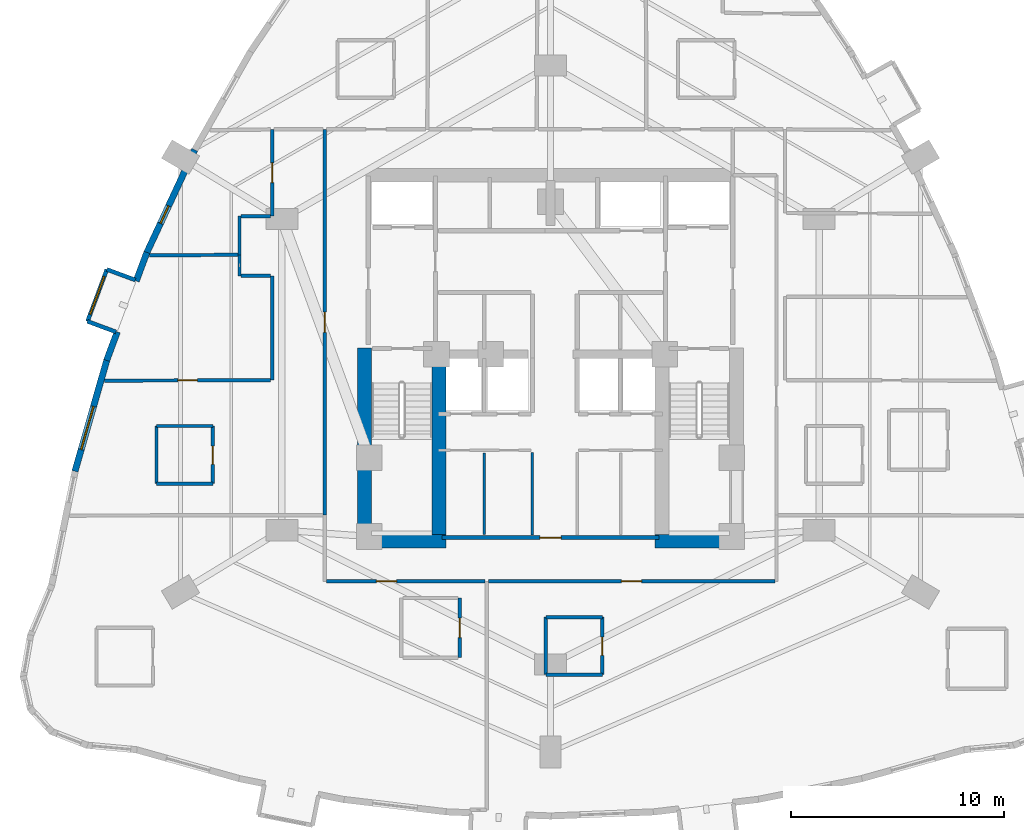
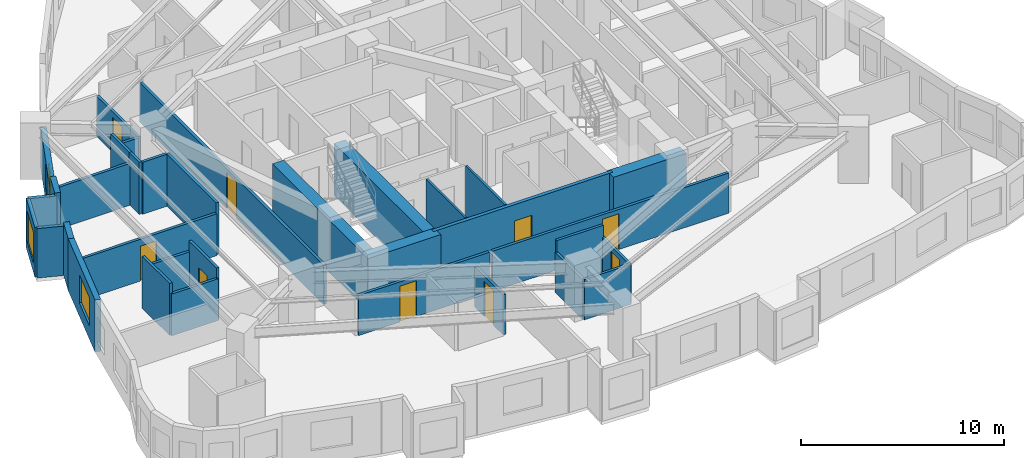
# One storey, part 7 of 13: 34 walls, 9 doors, 3 windows, 12 openings.
"""IFC4 building model written with IfcOpenShell, lengths in metres."""

from ifc_helpers import new_model, si_unit, direction, frame, frame_2d, origin, place, context, subcontext, project, spatial, rectangle, extrude, material, layer, layer_set, type_object, element, fill, save


model = new_model("IFC4")

# Units and contexts
model_context = context("Model", 3, precision=1e-05, world=origin(), true_north=direction((0.0, 1.0)))
body_context = subcontext(model_context, "Body", "Model", "MODEL_VIEW")
ifc_project = project(units=[si_unit("LENGTHUNIT", "METRE"), si_unit("AREAUNIT", "SQUARE_METRE"), si_unit("VOLUMEUNIT", "CUBIC_METRE"), si_unit("PLANEANGLEUNIT", "RADIAN"), si_unit("MASSUNIT", "GRAM", prefix="KILO")], contexts=[model_context])

# Site, building, storey
site_placement = place(None, origin())
site = spatial("IfcSite", under=ifc_project, at=site_placement, CompositionType="ELEMENT")
building_placement = place(site_placement, origin())
building = spatial("IfcBuilding", under=site, at=building_placement, Name="Miruveldt Soraemaru", CompositionType="ELEMENT")
storey_placement = place(building_placement, frame((0.0, 0.0, 49.60009765625)))
storey = spatial("IfcBuildingStorey", under=building, at=storey_placement, Name="L13", CompositionType="ELEMENT", Elevation=49.60009765625)

# Walls
ifc_material_1 = material(Name="White powder-coated aluminium EN AW-6060 T6", Category="aluminium")
ifc_layer_1 = layer(ifc_material_1, 0.18994140625, Name="White powder-coated aluminium EN AW-6060 T6", Category="aluminium")
ifc_layer_set_1 = layer_set([ifc_layer_1], Name="White powder-coated aluminium EN AW-6060 T6")
wall_type_1 = type_object("IfcWallType", Name="WALL-BAY-ALU190", PredefinedType="SOLIDWALL", material=ifc_layer_set_1)
wall_1_placement = place(storey_placement, frame((24.521728515625, 47.533203125, 0.0), z_axis=(0.0, 0.0, 1.0), x_axis=(-0.937129361406, 0.348982177182, 0.0)))
element("IfcWall", 1, at=wall_1_placement, inside=storey, type_object=wall_type_1, Name="L13 Bay Window Side Cheek 1L", PredefinedType="SOLIDWALL", context=body_context, shape_type="SweptSolid", body=[
    extrude(rectangle(XDim=1.425048828125, YDim=0.18994140625, at=frame_2d((0.71240234375, 0.0))), origin(), (0.0, 0.0, 1.0), 2.974853515625),
])
wall_2_placement = place(storey_placement, frame((22.27880859375, 45.593994140625, 0.0), z_axis=(0.0, 0.0, 1.0), x_axis=(0.937108491365, -0.349038214831, 0.0)))
element("IfcWall", 2, at=wall_2_placement, inside=storey, type_object=wall_type_1, Name="L13 Bay Window Side Cheek 1R", PredefinedType="SOLIDWALL", context=body_context, shape_type="SweptSolid", body=[
    extrude(rectangle(XDim=1.4248046875, YDim=0.18994140625, at=frame_2d((0.71240234375, 0.0))), origin(), (0.0, 0.0, 1.0), 2.974853515625),
])

# Wall, opening, window
wall_3_placement = place(storey_placement, frame((23.186279296875, 48.030517578125, 0.0), z_axis=(0.0, 0.0, 1.0), x_axis=(-0.349023333144, -0.937114034107, 0.0)))
wall_3 = element("IfcWall", 3, at=wall_3_placement, inside=storey, type_object=wall_type_1, Name="L13 Bay Window Front Frame 1", PredefinedType="SOLIDWALL", context=body_context, shape_type="SweptSolid", body=[
    extrude(rectangle(XDim=2.60009765625, YDim=0.18994140625, at=frame_2d((1.300048828125, 0.0))), origin(), (0.0, 0.0, 1.0), 2.974853515625),
])
opening_1_placement = place(wall_3_placement, frame((0.35009765625, 0.0, 0.550048828125)))
opening_1 = element("IfcOpeningElement", 4, at=opening_1_placement, cuts=wall_3, Name="Opening WN-6", PredefinedType="OPENING", context=body_context, shape_type="SweptSolid", body=[
    extrude(rectangle(XDim=1.89990234375, YDim=1.85009765625, at=frame_2d((0.949951171875, 0.925048828125))), frame((0.0, 0.10498046875, 0.0), z_axis=(0.0, -1.0, 0.0), x_axis=(1.0, 0.0, 0.0)), (0.0, 0.0, 1.0), 0.2099609375),
])
ifc_material_2 = material(Name="Triple low-e insulated glazing", Category="glass")
window_type_1 = type_object("IfcWindowType", Name="WIN-BAYW-1900x1850", PartitioningType="SINGLE_PANEL", PredefinedType="WINDOW", material=ifc_material_2)
window_1_placement = place(opening_1_placement, origin())
window_1 = element("IfcWindow", 5, at=window_1_placement, inside=storey, type_object=window_type_1, Name="L13 Projecting Bay Window 1", OverallHeight=1.85009765625, OverallWidth=1.89990234375, PartitioningType="SINGLE_PANEL", PredefinedType="WINDOW", context=body_context, shape_type="SweptSolid", body=[
    extrude(rectangle(XDim=1.89990234375, YDim=1.85009765625, at=frame_2d((0.949951171875, 0.925048828125))), frame((0.0, 0.030029296875, 0.0), z_axis=(0.0, -1.0, 0.0), x_axis=(1.0, 0.0, 0.0)), (0.0, 0.0, 1.0), 0.06005859375),
])
fill(opening_1, window_1)

# Walls
ifc_material_3 = material(Name="Concrete C80/95 (80 MPa)", Category="concrete")
ifc_layer_2 = layer(ifc_material_3, 0.64990234375, Name="Concrete C80/95 (80 MPa)", Category="concrete")
ifc_layer_set_2 = layer_set([ifc_layer_2], Name="Concrete C80/95 (80 MPa)")
wall_type_2 = type_object("IfcWallType", Name="WALL-CW-650", PredefinedType="SHEAR", material=ifc_layer_set_2)
for number, where, z_axis, x_axis, name in (
    (6, (34.949951171875, 35.27490234375, 0.0), (0.0, 0.0, 1.0), (1.0, 0.0, 0.0), "L13 Central Core Shear Wall S1"),
    (7, (48.89990234375, 35.27490234375, 0.0), (0.0, 0.0, 1.0), (1.0, 0.0, 0.0), "L13 Central Core Shear Wall S2"),
):
    element("IfcWall", number, at=place(storey_placement, frame(where, z_axis=z_axis, x_axis=x_axis)), inside=storey, type_object=wall_type_2, Name=name, PredefinedType="SHEAR", context=body_context, shape_type="SweptSolid", body=[
        extrude(rectangle(XDim=4.150146484375, YDim=0.64990234375, at=frame_2d((2.0751953125, 0.0))), origin(), (0.0, 0.0, 1.0), 3.125),
    ])
wall_4_placement = place(storey_placement, frame((35.27490234375, 34.949951171875, 0.0), z_axis=(0.0, 0.0, 1.0), x_axis=(0.0, 1.0, 0.0)))
element("IfcWall", 8, at=wall_4_placement, inside=storey, type_object=wall_type_2, Name="L13 Central Core Shear Wall W1", PredefinedType="SHEAR", context=body_context, shape_type="SweptSolid", body=[
    extrude(rectangle(XDim=9.400146484375, YDim=0.64990234375, at=frame_2d((4.7001953125, 0.0))), origin(), (0.0, 0.0, 1.0), 3.125),
])
wall_5_placement = place(storey_placement, frame((38.77490234375, 35.39990234375, 0.0), z_axis=(0.0, 0.0, 1.0), x_axis=(0.0, 1.0, 0.0)))
element("IfcWall", 9, at=wall_5_placement, inside=storey, type_object=wall_type_2, Name="L13 Central Core Shear Wall SW-INT", PredefinedType="SHEAR", context=body_context, shape_type="SweptSolid", body=[
    extrude(rectangle(XDim=8.9501953125, YDim=0.64990234375, at=frame_2d((4.47509765625, 0.0))), origin(), (0.0, 0.0, 1.0), 3.125),
])

# Wall, opening, window
ifc_material_4 = material(Name="Precast concrete C45/55 (45 MPa)", Category="concrete")
ifc_layer_3 = layer(ifc_material_4, 0.300048828125, Name="Precast concrete C45/55 (45 MPa)", Category="concrete")
ifc_layer_set_3 = layer_set([ifc_layer_3], Name="Precast concrete C45/55 (45 MPa)")
wall_type_3 = type_object("IfcWallType", Name="WALL-EXT-PC300", PredefinedType="SOLIDWALL", material=ifc_layer_set_3)
wall_6_placement = place(storey_placement, frame((27.30712890625, 53.639892578125, 0.0), z_axis=(0.0, 0.0, 1.0), x_axis=(-0.422286297116, -0.90646251068, 0.0)))
wall_6 = element("IfcWall", 10, at=wall_6_placement, inside=storey, type_object=wall_type_3, Name="L13 Precast Concrete Facade Wall 11", PredefinedType="SOLIDWALL", context=body_context, shape_type="SweptSolid", body=[
    extrude(rectangle(XDim=5.376708984375, YDim=0.300048828125, at=frame_2d((2.6884765625, 0.0))), origin(), (0.0, 0.0, 1.0), 2.412841796875),
])
opening_2_placement = place(wall_6_placement, frame((2.90087890625, 0.0, 0.7529296875)))
opening_2 = element("IfcOpeningElement", 11, at=opening_2_placement, cuts=wall_6, Name="Opening WN-7", PredefinedType="OPENING", context=body_context, shape_type="SweptSolid", body=[
    extrude(rectangle(XDim=0.89990234375, YDim=1.5, at=frame_2d((0.449951171875, 0.75))), frame((0.0, 0.16015625, 0.0), z_axis=(0.0, -1.0, 0.0), x_axis=(1.0, 0.0, 0.0)), (0.0, 0.0, 1.0), 0.320068359375),
])
window_type_2 = type_object("IfcWindowType", Name="WIN-PUNCH-900x1500", PartitioningType="SINGLE_PANEL", PredefinedType="WINDOW", material=ifc_material_2)
window_2_placement = place(opening_2_placement, origin())
window_2 = element("IfcWindow", 12, at=window_2_placement, inside=storey, type_object=window_type_2, Name="L13 Punched Triple-Glazed Window 11.1", OverallHeight=1.5, OverallWidth=0.89990234375, PartitioningType="SINGLE_PANEL", PredefinedType="WINDOW", context=body_context, shape_type="SweptSolid", body=[
    extrude(rectangle(XDim=0.89990234375, YDim=1.5, at=frame_2d((0.449951171875, 0.75))), frame((0.0, 0.030029296875, 0.0), z_axis=(0.0, -1.0, 0.0), x_axis=(1.0, 0.0, 0.0)), (0.0, 0.0, 1.0), 0.06005859375),
])
fill(opening_2, window_2)

# Walls
wall_7_placement = place(storey_placement, frame((25.063720703125, 48.830810546875, 0.0), z_axis=(0.0, 0.0, 1.0), x_axis=(-0.34905337409, -0.937102844962, 0.0)))
element("IfcWall", 13, at=wall_7_placement, inside=storey, type_object=wall_type_3, Name="L13 Precast Pier Wall 12A", PredefinedType="SOLIDWALL", context=body_context, shape_type="SweptSolid", body=[
    extrude(rectangle(XDim=1.435302734375, YDim=0.300048828125, at=frame_2d((0.7177734375, 0.0))), origin(), (0.0, 0.0, 1.0), 3.125),
])
wall_8_placement = place(storey_placement, frame((23.676025390625, 45.10546875, 0.0), z_axis=(0.0, 0.0, 1.0), x_axis=(-0.348903981976, -0.937158477186, 0.0)))
element("IfcWall", 14, at=wall_8_placement, inside=storey, type_object=wall_type_3, Name="L13 Precast Pier Wall 12B", PredefinedType="SOLIDWALL", context=body_context, shape_type="SweptSolid", body=[
    extrude(rectangle(XDim=1.43505859375, YDim=0.300048828125, at=frame_2d((0.717529296875, 0.0))), origin(), (0.0, 0.0, 1.0), 3.125),
])

# Wall, opening, window
wall_9_placement = place(storey_placement, frame((23.197021484375, 43.8271484375, 0.0), z_axis=(0.0, 0.0, 1.0), x_axis=(-0.274962478906, -0.961454957444, 0.0)))
wall_9 = element("IfcWall", 15, at=wall_9_placement, inside=storey, type_object=wall_type_3, Name="L13 Precast Concrete Facade Wall 13", PredefinedType="SOLIDWALL", context=body_context, shape_type="SweptSolid", body=[
    extrude(rectangle(XDim=5.4775390625, YDim=0.300048828125, at=frame_2d((2.73876953125, 0.0))), origin(), (0.0, 0.0, 1.0), 3.125),
])
opening_3_placement = place(wall_9_placement, frame((2.31396484375, 0.0, 0.800048828125)))
opening_3 = element("IfcOpeningElement", 16, at=opening_3_placement, cuts=wall_9, Name="Opening WN-1", PredefinedType="OPENING", context=body_context, shape_type="SweptSolid", body=[
    extrude(rectangle(XDim=2.10009765625, YDim=1.699951171875, at=frame_2d((1.050048828125, 0.85009765625))), frame((0.0, 0.16015625, 0.0), z_axis=(0.0, -1.0, 0.0), x_axis=(1.0, 0.0, 0.0)), (0.0, 0.0, 1.0), 0.320068359375),
])
window_type_3 = type_object("IfcWindowType", Name="WIN-PUNCH-2100x1700", PartitioningType="SINGLE_PANEL", PredefinedType="WINDOW", material=ifc_material_2)
window_3_placement = place(opening_3_placement, origin())
window_3 = element("IfcWindow", 17, at=window_3_placement, inside=storey, type_object=window_type_3, Name="L13 Punched Triple-Glazed Window 13.1", OverallHeight=1.699951171875, OverallWidth=2.10009765625, PartitioningType="SINGLE_PANEL", PredefinedType="WINDOW", context=body_context, shape_type="SweptSolid", body=[
    extrude(rectangle(XDim=2.10009765625, YDim=1.699951171875, at=frame_2d((1.050048828125, 0.85009765625))), frame((0.0, 0.030029296875, 0.0), z_axis=(0.0, -1.0, 0.0), x_axis=(1.0, 0.0, 0.0)), (0.0, 0.0, 1.0), 0.06005859375),
])
fill(opening_3, window_3)

# Walls
ifc_material_5 = material(Name="Gypsum plasterboard lining", Category="gypsum")
ifc_layer_4 = layer(ifc_material_5, 0.1201171875, Name="Gypsum plasterboard lining", Category="gypsum")
ifc_layer_set_4 = layer_set([ifc_layer_4], Name="Gypsum plasterboard lining")
wall_type_4 = type_object("IfcWallType", Name="WALL-INT-P120", PredefinedType="PARTITIONING", material=ifc_layer_set_4)
wall_10_placement = place(storey_placement, frame((43.14990234375, 35.580078125, 0.0), z_axis=(0.0, 0.0, 1.0), x_axis=(0.0, 1.0, 0.0)))
element("IfcWall", 18, at=wall_10_placement, inside=storey, type_object=wall_type_4, Name="L13 Core Compartment Wall SP-WS", PredefinedType="PARTITIONING", context=body_context, shape_type="SweptSolid", body=[
    extrude(rectangle(XDim=3.869873046875, YDim=0.1201171875, at=frame_2d((1.93505859375, 0.0))), origin(), (0.0, 0.0, 1.0), 3.125),
])
wall_11_placement = place(storey_placement, frame((40.89990234375, 35.60009765625, 0.0), z_axis=(0.0, 0.0, 1.0), x_axis=(0.0, 1.0, 0.0)))
element("IfcWall", 19, at=wall_11_placement, inside=storey, type_object=wall_type_4, Name="L13 Core Compartment Wall CW2-V", PredefinedType="PARTITIONING", context=body_context, shape_type="SweptSolid", body=[
    extrude(rectangle(XDim=3.81982421875, YDim=0.1201171875, at=frame_2d((1.909912109375, 0.0))), origin(), (0.0, 0.0, 1.0), 3.125),
])

# Wall, opening, door
ifc_layer_5 = layer(ifc_material_5, 0.14990234375, Name="Gypsum plasterboard lining", Category="gypsum")
ifc_layer_set_5 = layer_set([ifc_layer_5], Name="Gypsum plasterboard lining")
wall_type_5 = type_object("IfcWallType", Name="WALL-INT-PLUMB", PredefinedType="PLUMBINGWALL", material=ifc_layer_set_5)
wall_12_placement = place(storey_placement, frame((28.158935546875, 37.97998046875, 0.0), z_axis=(0.0, 0.0, 1.0), x_axis=(0.0, 1.0, 0.0)))
wall_12 = element("IfcWall", 20, at=wall_12_placement, inside=storey, type_object=wall_type_5, Name="L13 Partition Wall 41", PredefinedType="PLUMBINGWALL", context=body_context, shape_type="SweptSolid", body=[
    extrude(rectangle(XDim=2.699951171875, YDim=0.14990234375, at=frame_2d((1.35009765625, 0.0))), origin(), (0.0, 0.0, 1.0), 3.125),
])
opening_4_placement = place(wall_12_placement, frame((0.909912109375, 0.0, 0.0)))
opening_4 = element("IfcOpeningElement", 21, at=opening_4_placement, cuts=wall_12, Name="Opening FD3", PredefinedType="OPENING", context=body_context, shape_type="SweptSolid", body=[
    extrude(rectangle(XDim=0.85009765625, YDim=2.10009765625, at=frame_2d((0.425048828125, 1.050048828125))), frame((0.0, 0.0849609375, 0.0), z_axis=(0.0, -1.0, 0.0), x_axis=(1.0, 0.0, 0.0)), (0.0, 0.0, 1.0), 0.169921875),
])
ifc_material_6 = material(Name="Anodised aluminium EN AW-6063 T6", Category="aluminium")
door_type_1 = type_object("IfcDoorType", Name="DOOR-FD3-850", OperationType="NOTDEFINED", PredefinedType="DOOR", material=ifc_material_6)
door_1_placement = place(opening_4_placement, origin())
door_1 = element("IfcDoor", 22, at=door_1_placement, inside=storey, type_object=door_type_1, Name="L13 Unit 1305 BTH Door", OperationType="SINGLE_SWING_RIGHT", OverallHeight=2.10009765625, OverallWidth=0.85009765625, PredefinedType="DOOR", context=body_context, shape_type="SweptSolid", body=[
    extrude(rectangle(XDim=0.85009765625, YDim=2.10009765625, at=frame_2d((0.425048828125, 1.050048828125))), frame((0.0, 0.02490234375, 0.0), z_axis=(0.0, -1.0, 0.0), x_axis=(1.0, 0.0, 0.0)), (0.0, 0.0, 1.0), 0.050048828125),
])
fill(opening_4, door_1)

wall_13_placement = place(storey_placement, frame((46.429931640625, 29.01611328125, 0.0), z_axis=(0.0, 0.0, 1.0), x_axis=(0.0, 1.0, 0.0)))
wall_13 = element("IfcWall", 23, at=wall_13_placement, inside=storey, type_object=wall_type_5, Name="L13 Partition Wall 77", PredefinedType="PLUMBINGWALL", context=body_context, shape_type="SweptSolid", body=[
    extrude(rectangle(XDim=2.699951171875, YDim=0.14990234375, at=frame_2d((1.35009765625, 0.0))), origin(), (0.0, 0.0, 1.0), 2.412841796875),
])
opening_5_placement = place(wall_13_placement, frame((0.909912109375, 0.0, 0.0)))
opening_5 = element("IfcOpeningElement", 24, at=opening_5_placement, cuts=wall_13, Name="Opening FD3", PredefinedType="OPENING", context=body_context, shape_type="SweptSolid", body=[
    extrude(rectangle(XDim=0.85009765625, YDim=2.10009765625, at=frame_2d((0.425048828125, 1.050048828125))), frame((0.0, 0.0849609375, 0.0), z_axis=(0.0, -1.0, 0.0), x_axis=(1.0, 0.0, 0.0)), (0.0, 0.0, 1.0), 0.169921875),
])
door_2_placement = place(opening_5_placement, origin())
door_2 = element("IfcDoor", 25, at=door_2_placement, inside=storey, type_object=door_type_1, Name="L13 Unit CL08 BTH Door", OperationType="SINGLE_SWING_RIGHT", OverallHeight=2.10009765625, OverallWidth=0.85009765625, PredefinedType="DOOR", context=body_context, shape_type="SweptSolid", body=[
    extrude(rectangle(XDim=0.85009765625, YDim=2.10009765625, at=frame_2d((0.425048828125, 1.050048828125))), frame((0.0, 0.02490234375, 0.0), z_axis=(0.0, -1.0, 0.0), x_axis=(1.0, 0.0, 0.0)), (0.0, 0.0, 1.0), 0.050048828125),
])
fill(opening_5, door_2)

# Walls
wall_14_placement = place(storey_placement, frame((25.509033203125, 40.679931640625, 0.0), z_axis=(0.0, 0.0, 1.0), x_axis=(0.0, -1.0, 0.0)))
element("IfcWall", 26, at=wall_14_placement, inside=storey, type_object=wall_type_5, Name="L13 Partition Wall 43", PredefinedType="PLUMBINGWALL", context=body_context, shape_type="SweptSolid", body=[
    extrude(rectangle(XDim=2.699951171875, YDim=0.14990234375, at=frame_2d((1.35009765625, 0.0))), origin(), (0.0, 0.0, 1.0), 3.125),
])
wall_15_placement = place(storey_placement, frame((43.780029296875, 31.716064453125, 0.0), z_axis=(0.0, 0.0, 1.0), x_axis=(0.0, -1.0, 0.0)))
element("IfcWall", 27, at=wall_15_placement, inside=storey, type_object=wall_type_5, Name="L13 Partition Wall 79", PredefinedType="PLUMBINGWALL", context=body_context, shape_type="SweptSolid", body=[
    extrude(rectangle(XDim=2.699951171875, YDim=0.14990234375, at=frame_2d((1.35009765625, 0.0))), origin(), (0.0, 0.0, 1.0), 2.412841796875),
])
for number, where, z_axis, x_axis, name in (
    (28, (28.158935546875, 40.679931640625, 0.0), (0.0, 0.0, 1.0), (-1.0, 0.0, 0.0), "L13 Partition Wall 42"),
    (29, (25.509033203125, 37.97998046875, 0.0), (0.0, 0.0, 1.0), (1.0, 0.0, 0.0), "L13 Partition Wall 44"),
):
    element("IfcWall", number, at=place(storey_placement, frame(where, z_axis=z_axis, x_axis=x_axis)), inside=storey, type_object=wall_type_5, Name=name, PredefinedType="PLUMBINGWALL", context=body_context, shape_type="SweptSolid", body=[
        extrude(rectangle(XDim=2.64990234375, YDim=0.14990234375, at=frame_2d((1.324951171875, 0.0))), origin(), (0.0, 0.0, 1.0), 2.512939453125),
    ])
wall_16_placement = place(storey_placement, frame((46.429931640625, 31.716064453125, 0.0), z_axis=(0.0, 0.0, 1.0), x_axis=(-1.0, 0.0, 0.0)))
element("IfcWall", 30, at=wall_16_placement, inside=storey, type_object=wall_type_5, Name="L13 Partition Wall 78", PredefinedType="PLUMBINGWALL", context=body_context, shape_type="SweptSolid", body=[
    extrude(rectangle(XDim=2.64990234375, YDim=0.14990234375, at=frame_2d((1.324951171875, 0.0))), origin(), (0.0, 0.0, 1.0), 3.125),
])
wall_17_placement = place(storey_placement, frame((43.780029296875, 29.01611328125, 0.0), z_axis=(0.0, 0.0, 1.0), x_axis=(1.0, 0.0, 0.0)))
element("IfcWall", 31, at=wall_17_placement, inside=storey, type_object=wall_type_5, Name="L13 Partition Wall 80", PredefinedType="PLUMBINGWALL", context=body_context, shape_type="SweptSolid", body=[
    extrude(rectangle(XDim=2.64990234375, YDim=0.14990234375, at=frame_2d((1.324951171875, 0.0))), origin(), (0.0, 0.0, 1.0), 2.412841796875),
])

# Wall, opening, door
ifc_material_7 = material(Name="Concrete C40/50 (40 MPa)", Category="concrete")
ifc_layer_6 = layer(ifc_material_7, 0.159912109375, Name="Concrete C40/50 (40 MPa)", Category="concrete")
ifc_layer_set_6 = layer_set([ifc_layer_6], Name="Concrete C40/50 (40 MPa)")
wall_type_6 = type_object("IfcWallType", Name="WALL-INT-RC160", PredefinedType="SOLIDWALL", material=ifc_layer_set_6)
wall_18_placement = place(storey_placement, frame((33.39990234375, 54.596923828125, 0.0), z_axis=(0.0, 0.0, 1.0), x_axis=(0.0, -1.0, 0.0)))
wall_18 = element("IfcWall", 32, at=wall_18_placement, inside=storey, type_object=wall_type_6, Name="L13 Partition Wall 5", PredefinedType="SOLIDWALL", context=body_context, shape_type="SweptSolid", body=[
    extrude(rectangle(XDim=18.093994140625, YDim=0.159912109375, at=frame_2d((9.046875, 0.0))), origin(), (0.0, 0.0, 1.0), 2.36279296875),
])
opening_6_placement = place(wall_18_placement, frame((8.572021484375, 0.0, 0.0)))
opening_6 = element("IfcOpeningElement", 33, at=opening_6_placement, cuts=wall_18, Name="Opening FD2", PredefinedType="OPENING", context=body_context, shape_type="SweptSolid", body=[
    extrude(rectangle(XDim=0.949951171875, YDim=2.14990234375, at=frame_2d((0.47509765625, 1.074951171875))), frame((0.0, 0.08984375, 0.0), z_axis=(0.0, -1.0, 0.0), x_axis=(1.0, 0.0, 0.0)), (0.0, 0.0, 1.0), 0.179931640625),
])
door_type_2 = type_object("IfcDoorType", Name="DOOR-FD2-950", OperationType="NOTDEFINED", PredefinedType="DOOR", material=ifc_material_6)
door_3_placement = place(opening_6_placement, origin())
door_3 = element("IfcDoor", 34, at=door_3_placement, inside=storey, type_object=door_type_2, Name="L13 Unit 1305 Entrance Fire Door", OperationType="SINGLE_SWING_LEFT", OverallHeight=2.14990234375, OverallWidth=0.949951171875, PredefinedType="DOOR", context=body_context, shape_type="SweptSolid", body=[
    extrude(rectangle(XDim=0.949951171875, YDim=2.14990234375, at=frame_2d((0.47509765625, 1.074951171875))), frame((0.0, 0.02490234375, 0.0), z_axis=(0.0, -1.0, 0.0), x_axis=(1.0, 0.0, 0.0)), (0.0, 0.0, 1.0), 0.050048828125),
])
fill(opening_6, door_3)

wall_19_placement = place(storey_placement, frame((41.080078125, 33.39990234375, 0.0), z_axis=(0.0, 0.0, 1.0), x_axis=(1.0, 0.0, 0.0)))
wall_19 = element("IfcWall", 35, at=wall_19_placement, inside=storey, type_object=wall_type_6, Name="L13 Partition Wall 11", PredefinedType="SOLIDWALL", context=body_context, shape_type="SweptSolid", body=[
    extrude(rectangle(XDim=13.43994140625, YDim=0.159912109375, at=frame_2d((6.719970703125, 0.0))), origin(), (0.0, 0.0, 1.0), 2.412841796875),
])
opening_7_placement = place(wall_19_placement, frame((6.2451171875, 0.0, 0.0)))
opening_7 = element("IfcOpeningElement", 36, at=opening_7_placement, cuts=wall_19, Name="Opening FD2", PredefinedType="OPENING", context=body_context, shape_type="SweptSolid", body=[
    extrude(rectangle(XDim=0.949951171875, YDim=2.14990234375, at=frame_2d((0.47509765625, 1.074951171875))), frame((0.0, 0.08984375, 0.0), z_axis=(0.0, -1.0, 0.0), x_axis=(1.0, 0.0, 0.0)), (0.0, 0.0, 1.0), 0.179931640625),
])
door_4_placement = place(opening_7_placement, origin())
door_4 = element("IfcDoor", 37, at=door_4_placement, inside=storey, type_object=door_type_2, Name="L13 Unit CL08 Entrance Fire Door", OperationType="SINGLE_SWING_LEFT", OverallHeight=2.14990234375, OverallWidth=0.949951171875, PredefinedType="DOOR", context=body_context, shape_type="SweptSolid", body=[
    extrude(rectangle(XDim=0.949951171875, YDim=2.14990234375, at=frame_2d((0.47509765625, 1.074951171875))), frame((0.0, 0.02490234375, 0.0), z_axis=(0.0, -1.0, 0.0), x_axis=(1.0, 0.0, 0.0)), (0.0, 0.0, 1.0), 0.050048828125),
])
fill(opening_7, door_4)

wall_20_placement = place(storey_placement, frame((30.8701171875, 42.8349609375, 0.0), z_axis=(0.0, 0.0, 1.0), x_axis=(-0.999995663106, -0.002945126181, 0.0)))
wall_20 = element("IfcWall", 38, at=wall_20_placement, inside=storey, type_object=wall_type_6, Name="L13 Partition Wall 48", PredefinedType="SOLIDWALL", context=body_context, shape_type="SweptSolid", body=[
    extrude(rectangle(XDim=7.792236328125, YDim=0.159912109375, at=frame_2d((3.89599609375, 0.0))), origin(), (0.0, 0.0, 1.0), 2.512939453125),
])
opening_8_placement = place(wall_20_placement, frame((3.43603515625, 0.0, 0.0)))
opening_8 = element("IfcOpeningElement", 39, at=opening_8_placement, cuts=wall_20, Name="Opening D3A", PredefinedType="OPENING", context=body_context, shape_type="SweptSolid", body=[
    extrude(rectangle(XDim=0.919921875, YDim=2.10009765625, at=frame_2d((0.4599609375, 1.050048828125))), frame((0.0, 0.08984375, 0.0), z_axis=(0.0, -1.0, 0.0), x_axis=(1.0, 0.0, 0.0)), (0.0, 0.0, 1.0), 0.179931640625),
])
door_type_3 = type_object("IfcDoorType", Name="DOOR-INT-920", OperationType="NOTDEFINED", PredefinedType="DOOR", material=ifc_material_6)
door_5_placement = place(opening_8_placement, origin())
door_5 = element("IfcDoor", 40, at=door_5_placement, inside=storey, type_object=door_type_3, Name="L13 Unit 1305 BD1 Door", OperationType="SINGLE_SWING_LEFT", OverallHeight=2.10009765625, OverallWidth=0.919921875, PredefinedType="DOOR", context=body_context, shape_type="SweptSolid", body=[
    extrude(rectangle(XDim=0.919921875, YDim=2.10009765625, at=frame_2d((0.4599609375, 1.050048828125))), frame((0.0, 0.02490234375, 0.0), z_axis=(0.0, -1.0, 0.0), x_axis=(1.0, 0.0, 0.0)), (0.0, 0.0, 1.0), 0.050048828125),
])
fill(opening_8, door_5)

wall_21_placement = place(storey_placement, frame((33.47998046875, 33.39990234375, 0.0), z_axis=(0.0, 0.0, 1.0), x_axis=(1.0, 0.0, 0.0)))
wall_21 = element("IfcWall", 41, at=wall_21_placement, inside=storey, type_object=wall_type_6, Name="L13 Partition Wall 10", PredefinedType="SOLIDWALL", context=body_context, shape_type="SweptSolid", body=[
    extrude(rectangle(XDim=7.43994140625, YDim=0.159912109375, at=frame_2d((3.719970703125, 0.0))), origin(), (0.0, 0.0, 1.0), 2.412841796875),
])
opening_9_placement = place(wall_21_placement, frame((2.344970703125, 0.0, 0.0)))
opening_9 = element("IfcOpeningElement", 42, at=opening_9_placement, cuts=wall_21, Name="Opening FD2", PredefinedType="OPENING", context=body_context, shape_type="SweptSolid", body=[
    extrude(rectangle(XDim=0.949951171875, YDim=2.14990234375, at=frame_2d((0.47509765625, 1.074951171875))), frame((0.0, 0.08984375, 0.0), z_axis=(0.0, -1.0, 0.0), x_axis=(1.0, 0.0, 0.0)), (0.0, 0.0, 1.0), 0.179931640625),
])
door_6_placement = place(opening_9_placement, origin())
door_6 = element("IfcDoor", 43, at=door_6_placement, inside=storey, type_object=door_type_2, Name="L13 Unit CL07 Entrance Fire Door", OperationType="SINGLE_SWING_RIGHT", OverallHeight=2.14990234375, OverallWidth=0.949951171875, PredefinedType="DOOR", context=body_context, shape_type="SweptSolid", body=[
    extrude(rectangle(XDim=0.949951171875, YDim=2.14990234375, at=frame_2d((0.47509765625, 1.074951171875))), frame((0.0, 0.02490234375, 0.0), z_axis=(0.0, -1.0, 0.0), x_axis=(1.0, 0.0, 0.0)), (0.0, 0.0, 1.0), 0.050048828125),
])
fill(opening_9, door_6)

wall_22_placement = place(storey_placement, frame((30.949951171875, 54.60009765625, 0.0), z_axis=(0.0, 0.0, 1.0), x_axis=(0.0, -1.0, 0.0)))
wall_22 = element("IfcWall", 44, at=wall_22_placement, inside=storey, type_object=wall_type_6, Name="L13 Partition Wall 49", PredefinedType="SOLIDWALL", context=body_context, shape_type="SweptSolid", body=[
    extrude(rectangle(XDim=4.070068359375, YDim=0.159912109375, at=frame_2d((2.03515625, 0.0))), origin(), (0.0, 0.0, 1.0), 2.412841796875),
])
opening_10_placement = place(wall_22_placement, frame((1.574951171875, 0.0, 0.0)))
opening_10 = element("IfcOpeningElement", 45, at=opening_10_placement, cuts=wall_22, Name="Opening D3A", PredefinedType="OPENING", context=body_context, shape_type="SweptSolid", body=[
    extrude(rectangle(XDim=0.919921875, YDim=2.10009765625, at=frame_2d((0.4599609375, 1.050048828125))), frame((0.0, 0.08984375, 0.0), z_axis=(0.0, -1.0, 0.0), x_axis=(1.0, 0.0, 0.0)), (0.0, 0.0, 1.0), 0.179931640625),
])
door_7_placement = place(opening_10_placement, origin())
door_7 = element("IfcDoor", 46, at=door_7_placement, inside=storey, type_object=door_type_3, Name="L13 Unit 1305 BD2 Door", OperationType="SINGLE_SWING_RIGHT", OverallHeight=2.10009765625, OverallWidth=0.919921875, PredefinedType="DOOR", context=body_context, shape_type="SweptSolid", body=[
    extrude(rectangle(XDim=0.919921875, YDim=2.10009765625, at=frame_2d((0.4599609375, 1.050048828125))), frame((0.0, 0.02490234375, 0.0), z_axis=(0.0, -1.0, 0.0), x_axis=(1.0, 0.0, 0.0)), (0.0, 0.0, 1.0), 0.050048828125),
])
fill(opening_10, door_7)

wall_23_placement = place(storey_placement, frame((39.74609375, 29.81591796875, 0.0), z_axis=(0.0, 0.0, 1.0), x_axis=(0.0, 1.0, 0.0)))
wall_23 = element("IfcWall", 47, at=wall_23_placement, inside=storey, type_object=wall_type_6, Name="L13 Partition Wall 72", PredefinedType="SOLIDWALL", context=body_context, shape_type="SweptSolid", body=[
    extrude(rectangle(XDim=2.800048828125, YDim=0.159912109375, at=frame_2d((1.39990234375, 0.0))), origin(), (0.0, 0.0, 1.0), 2.412841796875),
])
opening_11_placement = place(wall_23_placement, frame((0.93994140625, 0.0, 0.0)))
opening_11 = element("IfcOpeningElement", 48, at=opening_11_placement, cuts=wall_23, Name="Opening D3A", PredefinedType="OPENING", context=body_context, shape_type="SweptSolid", body=[
    extrude(rectangle(XDim=0.919921875, YDim=2.10009765625, at=frame_2d((0.4599609375, 1.050048828125))), frame((0.0, 0.08984375, 0.0), z_axis=(0.0, -1.0, 0.0), x_axis=(1.0, 0.0, 0.0)), (0.0, 0.0, 1.0), 0.179931640625),
])
door_8_placement = place(opening_11_placement, origin())
door_8 = element("IfcDoor", 49, at=door_8_placement, inside=storey, type_object=door_type_3, Name="L13 Unit CL07 KIT Door", OperationType="SINGLE_SWING_RIGHT", OverallHeight=2.10009765625, OverallWidth=0.919921875, PredefinedType="DOOR", context=body_context, shape_type="SweptSolid", body=[
    extrude(rectangle(XDim=0.919921875, YDim=2.10009765625, at=frame_2d((0.4599609375, 1.050048828125))), frame((0.0, 0.02490234375, 0.0), z_axis=(0.0, -1.0, 0.0), x_axis=(1.0, 0.0, 0.0)), (0.0, 0.0, 1.0), 0.050048828125),
])
fill(opening_11, door_8)

# Walls
wall_24_placement = place(storey_placement, frame((30.949951171875, 47.72998046875, 0.0), z_axis=(0.0, 0.0, 1.0), x_axis=(0.0, -1.0, 0.0)))
element("IfcWall", 50, at=wall_24_placement, inside=storey, type_object=wall_type_6, Name="L13 Partition Wall 47", PredefinedType="SOLIDWALL", context=body_context, shape_type="SweptSolid", body=[
    extrude(rectangle(XDim=4.89501953125, YDim=0.159912109375, at=frame_2d((2.447509765625, 0.0))), origin(), (0.0, 0.0, 1.0), 3.125),
])
wall_25_placement = place(storey_placement, frame((29.3291015625, 48.717041015625, 0.0), z_axis=(0.0, 0.0, 1.0), x_axis=(-0.999975402613, -0.007013855529, 0.0)))
element("IfcWall", 51, at=wall_25_placement, inside=storey, type_object=wall_type_6, Name="L13 Partition Wall 53", PredefinedType="SOLIDWALL", context=body_context, shape_type="SweptSolid", body=[
    extrude(rectangle(XDim=4.14208984375, YDim=0.159912109375, at=frame_2d((2.071044921875, 0.0))), origin(), (0.0, 0.0, 1.0), 2.512939453125),
])
wall_26_placement = place(storey_placement, frame((29.408935546875, 50.530029296875, 0.0), z_axis=(0.0, 0.0, 1.0), x_axis=(0.0, -1.0, 0.0)))
element("IfcWall", 52, at=wall_26_placement, inside=storey, type_object=wall_type_6, Name="L13 Partition Wall 51", PredefinedType="SOLIDWALL", context=body_context, shape_type="SweptSolid", body=[
    extrude(rectangle(XDim=1.81201171875, YDim=0.159912109375, at=frame_2d((0.906005859375, 0.0))), origin(), (0.0, 0.0, 1.0), 3.125),
])
wall_27_placement = place(storey_placement, frame((29.489013671875, 47.72998046875, 0.0), z_axis=(0.0, 0.0, 1.0), x_axis=(1.0, 0.0, 0.0)))
element("IfcWall", 53, at=wall_27_placement, inside=storey, type_object=wall_type_6, Name="L13 Partition Wall 46", PredefinedType="SOLIDWALL", context=body_context, shape_type="SweptSolid", body=[
    extrude(rectangle(XDim=1.381103515625, YDim=0.159912109375, at=frame_2d((0.6904296875, 0.0))), origin(), (0.0, 0.0, 1.0), 3.125),
])
wall_28_placement = place(storey_placement, frame((30.8701171875, 50.530029296875, 0.0), z_axis=(0.0, 0.0, 1.0), x_axis=(-1.0, 0.0, 0.0)))
element("IfcWall", 54, at=wall_28_placement, inside=storey, type_object=wall_type_6, Name="L13 Partition Wall 50", PredefinedType="SOLIDWALL", context=body_context, shape_type="SweptSolid", body=[
    extrude(rectangle(XDim=1.381103515625, YDim=0.159912109375, at=frame_2d((0.6904296875, 0.0))), origin(), (0.0, 0.0, 1.0), 2.412841796875),
])
wall_29_placement = place(storey_placement, frame((29.408935546875, 48.718017578125, 0.0), z_axis=(0.0, 0.0, 1.0), x_axis=(0.0, -1.0, 0.0)))
element("IfcWall", 55, at=wall_29_placement, inside=storey, type_object=wall_type_6, Name="L13 Partition Wall 45", PredefinedType="SOLIDWALL", context=body_context, shape_type="SweptSolid", body=[
    extrude(rectangle(XDim=0.988037109375, YDim=0.159912109375, at=frame_2d((0.494140625, 0.0))), origin(), (0.0, 0.0, 1.0), 3.125),
])

# Wall, opening, door
ifc_layer_7 = layer(ifc_material_7, 0.199951171875, Name="Concrete C40/50 (40 MPa)", Category="concrete")
ifc_layer_set_7 = layer_set([ifc_layer_7], Name="Concrete C40/50 (40 MPa)")
wall_type_7 = type_object("IfcWallType", Name="WALL-INT-RC200", PredefinedType="SOLIDWALL", material=ifc_layer_set_7)
wall_30_placement = place(storey_placement, frame((38.89990234375, 35.449951171875, 0.0), z_axis=(0.0, 0.0, 1.0), x_axis=(1.0, 0.0, 0.0)))
wall_30 = element("IfcWall", 56, at=wall_30_placement, inside=storey, type_object=wall_type_7, Name="L13 Core Compartment Wall CS-S", PredefinedType="SOLIDWALL", context=body_context, shape_type="SweptSolid", body=[
    extrude(rectangle(XDim=10.2001953125, YDim=0.199951171875, at=frame_2d((5.10009765625, 0.0))), origin(), (0.0, 0.0, 1.0), 3.125),
])
opening_12_placement = place(wall_30_placement, frame((4.60009765625, 0.0, 0.0)))
opening_12 = element("IfcOpeningElement", 57, at=opening_12_placement, cuts=wall_30, Name="Opening FD1", PredefinedType="OPENING", context=body_context, shape_type="SweptSolid", body=[
    extrude(rectangle(XDim=1.0, YDim=2.14990234375, at=frame_2d((0.5, 1.074951171875))), frame((0.0, 0.10986328125, 0.0), z_axis=(0.0, -1.0, 0.0), x_axis=(1.0, 0.0, 0.0)), (0.0, 0.0, 1.0), 0.219970703125),
])
door_type_4 = type_object("IfcDoorType", Name="DOOR-FD1-1000", OperationType="NOTDEFINED", PredefinedType="DOOR", material=ifc_material_6)
door_9_placement = place(opening_12_placement, origin())
door_9 = element("IfcDoor", 58, at=door_9_placement, inside=storey, type_object=door_type_4, Name="L13 Core South Lobby Fire Door", OperationType="SINGLE_SWING_LEFT", OverallHeight=2.14990234375, OverallWidth=1.0, PredefinedType="DOOR", context=body_context, shape_type="SweptSolid", body=[
    extrude(rectangle(XDim=1.0, YDim=2.14990234375, at=frame_2d((0.5, 1.074951171875))), frame((0.0, 0.02490234375, 0.0), z_axis=(0.0, -1.0, 0.0), x_axis=(1.0, 0.0, 0.0)), (0.0, 0.0, 1.0), 0.050048828125),
])
fill(opening_12, door_9)

save(model, "model.ifc")
